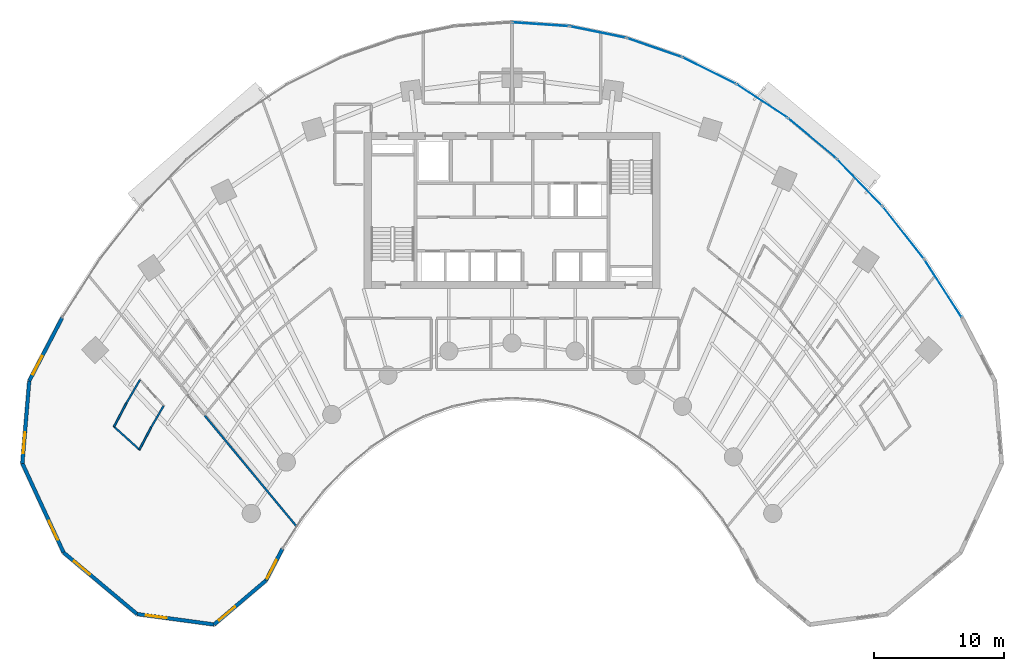
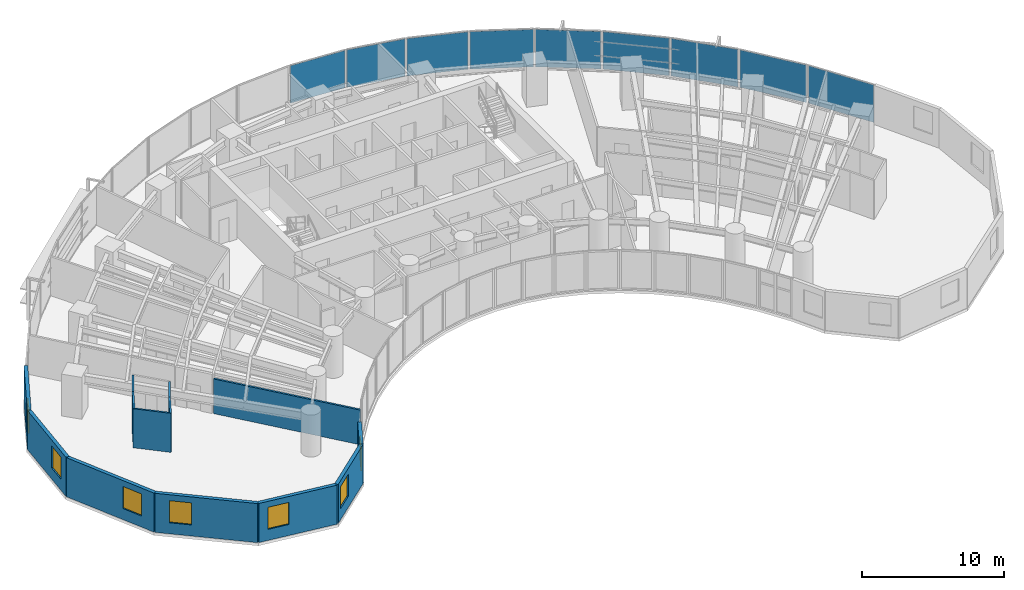
# One storey, part 10 of 17: 13 walls, 9 plates, 7 windows, 7 openings, 9 elements without a shape of their own.
"""IFC4 building model written with IfcOpenShell, lengths in metres."""

from ifc_helpers import new_model, si_unit, direction, frame, frame_2d, origin, origin_2d, place, context, subcontext, project, spatial, rectangle, extrude, source, transform, mapped, material, layer, layer_set, type_object, type_shapes, element, fill, aggregate, save


model = new_model("IFC4")

# Units and contexts
model_context = context("Model", 3, precision=1e-05, world=origin(), true_north=direction((0.0, 1.0)))
body_context = subcontext(model_context, "Body", "Model", "MODEL_VIEW")
ifc_project = project(units=[si_unit("LENGTHUNIT", "METRE"), si_unit("AREAUNIT", "SQUARE_METRE"), si_unit("VOLUMEUNIT", "CUBIC_METRE"), si_unit("PLANEANGLEUNIT", "RADIAN"), si_unit("MASSUNIT", "GRAM", prefix="KILO")], contexts=[model_context])

# Site, building, storey
site_placement = place(None, origin())
site = spatial("IfcSite", under=ifc_project, at=site_placement, CompositionType="ELEMENT")
building_placement = place(site_placement, origin())
building = spatial("IfcBuilding", under=site, at=building_placement, Name="Breltana Convention Tower", CompositionType="ELEMENT")
storey_placement = place(building_placement, frame((0.0, 0.0, 46.199951171875)))
storey = spatial("IfcBuildingStorey", under=building, at=storey_placement, Name="L09", CompositionType="ELEMENT", Elevation=46.199951171875)

# Curtain wall, plate
ifc_material_1 = material(Name="Aluminium Anodised Bronze Frame", Category="aluminium")
ifc_layer_1 = layer(ifc_material_1, 0.199951171875, Name="Aluminium Anodised Bronze Frame")
ifc_layer_set_1 = layer_set([ifc_layer_1], Name="Aluminium Anodised Bronze Frame")
curtain_wall_type = type_object("IfcCurtainWallType", Name="CW-SYS-2", PredefinedType="NOTDEFINED", material=ifc_layer_set_1)
curtain_wall_1_placement = place(storey_placement, origin())
curtain_wall_1 = element("IfcCurtainWall", 1, at=curtain_wall_1_placement, inside=storey, type_object=curtain_wall_type, Name="L09 outer double-skin inner glazing 17", PredefinedType="NOTDEFINED")
ifc_material_2 = material(Name="Glass Low-E Double Glazing", Category="glass")
ifc_layer_2 = layer(ifc_material_2, 0.031982421875, Name="Glass Low-E Double Glazing")
ifc_layer_set_2 = layer_set([ifc_layer_2], Name="Glass Low-E Double Glazing")
plate_type = type_object("IfcPlateType", Name="CWP-IGU-32", PredefinedType="CURTAIN_PANEL", material=ifc_layer_set_2)
shared_shape_1 = source(origin(), body_context, "Body", "SweptSolid", [
    extrude(rectangle(XDim=5.0546875, YDim=0.031982421875, at=origin_2d()), origin(), (0.0, 0.0, 1.0), 3.219970703125),
])
plate_1_placement = place(storey_placement, frame((78.038818359375, 64.504638671875, 0.06982421875), z_axis=(0.0, 0.0, 1.0), x_axis=(0.618153917633, -0.786057080698, 0.0)))
plate_1 = element("IfcPlate", 2, at=plate_1_placement, type_object=plate_type, Name="CW-02 panel 1.1", PredefinedType="CURTAIN_PANEL", context=body_context, shape_type="MappedRepresentation", body=[
    mapped(shared_shape_1, transform((0.0, 0.0, 0.0), scale=1.0)),
])
aggregate(curtain_wall_1, [plate_1])

curtain_wall_2_placement = place(storey_placement, origin())
curtain_wall_2 = element("IfcCurtainWall", 3, at=curtain_wall_2_placement, inside=storey, type_object=curtain_wall_type, Name="L09 outer double-skin inner glazing 16", PredefinedType="NOTDEFINED")
shared_shape_2 = source(origin(), body_context, "Body", "SweptSolid", [
    extrude(rectangle(XDim=4.901123046875, YDim=0.031982421875, at=origin_2d()), origin(), (0.0, 0.0, 1.0), 3.219970703125),
])
plate_2_placement = place(storey_placement, frame((74.682373046875, 68.359619140625, 0.06982421875), z_axis=(0.0, 0.0, 1.0), x_axis=(0.694610090106, -0.719386421003, 0.0)))
plate_2 = element("IfcPlate", 4, at=plate_2_placement, type_object=plate_type, Name="CW-02 panel 1.1", PredefinedType="CURTAIN_PANEL", context=body_context, shape_type="MappedRepresentation", body=[
    mapped(shared_shape_2, transform((0.0, 0.0, 0.0), scale=1.0)),
])
aggregate(curtain_wall_2, [plate_2])

curtain_wall_3_placement = place(storey_placement, origin())
curtain_wall_3 = element("IfcCurtainWall", 5, at=curtain_wall_3_placement, inside=storey, type_object=curtain_wall_type, Name="L09 outer double-skin inner glazing 15", PredefinedType="NOTDEFINED")
shared_shape_3 = source(origin(), body_context, "Body", "SweptSolid", [
    extrude(rectangle(XDim=4.7509765625, YDim=0.031982421875, at=origin_2d()), origin(), (0.0, 0.0, 1.0), 3.219970703125),
])
plate_3_placement = place(storey_placement, frame((71.0537109375, 71.7392578125, 0.06982421875), z_axis=(0.0, 0.0, 1.0), x_axis=(0.767941326958, -0.640520193554, 0.0)))
plate_3 = element("IfcPlate", 6, at=plate_3_placement, type_object=plate_type, Name="CW-02 panel 1.1", PredefinedType="CURTAIN_PANEL", context=body_context, shape_type="MappedRepresentation", body=[
    mapped(shared_shape_3, transform((0.0, 0.0, 0.0), scale=1.0)),
])
aggregate(curtain_wall_3, [plate_3])

curtain_wall_4_placement = place(storey_placement, origin())
curtain_wall_4 = element("IfcCurtainWall", 7, at=curtain_wall_4_placement, inside=storey, type_object=curtain_wall_type, Name="L09 outer double-skin inner glazing 14", PredefinedType="NOTDEFINED")
shared_shape_4 = source(origin(), body_context, "Body", "SweptSolid", [
    extrude(rectangle(XDim=4.610595703125, YDim=0.031982421875, at=origin_2d()), origin(), (0.0, 0.0, 1.0), 3.219970703125),
])
plate_4_placement = place(storey_placement, frame((67.18994140625, 74.609130859375, 0.06982421875), z_axis=(0.0, 0.0, 1.0), x_axis=(0.83596401875, -0.548784255746, 0.0)))
plate_4 = element("IfcPlate", 8, at=plate_4_placement, type_object=plate_type, Name="CW-02 panel 1.1", PredefinedType="CURTAIN_PANEL", context=body_context, shape_type="MappedRepresentation", body=[
    mapped(shared_shape_4, transform((0.0, 0.0, 0.0), scale=1.0)),
])
aggregate(curtain_wall_4, [plate_4])

curtain_wall_5_placement = place(storey_placement, origin())
curtain_wall_5 = element("IfcCurtainWall", 9, at=curtain_wall_5_placement, inside=storey, type_object=curtain_wall_type, Name="L09 outer double-skin inner glazing 13", PredefinedType="NOTDEFINED")
shared_shape_5 = source(origin(), body_context, "Body", "SweptSolid", [
    extrude(rectangle(XDim=4.487548828125, YDim=0.031982421875, at=origin_2d()), origin(), (0.0, 0.0, 1.0), 3.219970703125),
])
plate_5_placement = place(storey_placement, frame((63.13134765625, 76.940185546875, 0.06982421875), z_axis=(0.0, 0.0, 1.0), x_axis=(0.895973407804, -0.444107703726, 0.0)))
plate_5 = element("IfcPlate", 10, at=plate_5_placement, type_object=plate_type, Name="CW-02 panel 1.1", PredefinedType="CURTAIN_PANEL", context=body_context, shape_type="MappedRepresentation", body=[
    mapped(shared_shape_5, transform((0.0, 0.0, 0.0), scale=1.0)),
])
aggregate(curtain_wall_5, [plate_5])

curtain_wall_6_placement = place(storey_placement, origin())
curtain_wall_6 = element("IfcCurtainWall", 11, at=curtain_wall_6_placement, inside=storey, type_object=curtain_wall_type, Name="L09 outer double-skin inner glazing 12", PredefinedType="NOTDEFINED")
shared_shape_6 = source(origin(), body_context, "Body", "SweptSolid", [
    extrude(rectangle(XDim=4.388427734375, YDim=0.031982421875, at=origin_2d()), origin(), (0.0, 0.0, 1.0), 3.219970703125),
])
plate_6_placement = place(storey_placement, frame((58.9189453125, 78.709228515625, 0.06982421875), z_axis=(0.0, 0.0, 1.0), x_axis=(0.944876012163, -0.32742834581, 0.0)))
plate_6 = element("IfcPlate", 12, at=plate_6_placement, type_object=plate_type, Name="CW-02 panel 1.1", PredefinedType="CURTAIN_PANEL", context=body_context, shape_type="MappedRepresentation", body=[
    mapped(shared_shape_6, transform((0.0, 0.0, 0.0), scale=1.0)),
])
aggregate(curtain_wall_6, [plate_6])

curtain_wall_7_placement = place(storey_placement, origin())
curtain_wall_7 = element("IfcCurtainWall", 13, at=curtain_wall_7_placement, inside=storey, type_object=curtain_wall_type, Name="L09 outer double-skin inner glazing 11", PredefinedType="NOTDEFINED")
shared_shape_7 = source(origin(), body_context, "Body", "SweptSolid", [
    extrude(rectangle(XDim=4.318359375, YDim=0.031982421875, at=origin_2d()), origin(), (0.0, 0.0, 1.0), 3.219970703125),
])
plate_7_placement = place(storey_placement, frame((54.595703125, 79.898193359375, 0.06982421875), z_axis=(0.0, 0.0, 1.0), x_axis=(0.979614925743, -0.200884537139, 0.0)))
plate_7 = element("IfcPlate", 14, at=plate_7_placement, type_object=plate_type, Name="CW-02 panel 1.1", PredefinedType="CURTAIN_PANEL", context=body_context, shape_type="MappedRepresentation", body=[
    mapped(shared_shape_7, transform((0.0, 0.0, 0.0), scale=1.0)),
])
aggregate(curtain_wall_7, [plate_7])

curtain_wall_8_placement = place(storey_placement, origin())
curtain_wall_8 = element("IfcCurtainWall", 15, at=curtain_wall_8_placement, inside=storey, type_object=curtain_wall_type, Name="L09 outer double-skin inner glazing 10", PredefinedType="NOTDEFINED")
shared_shape_8 = source(origin(), body_context, "Body", "SweptSolid", [
    extrude(rectangle(XDim=4.2822265625, YDim=0.031982421875, at=origin_2d()), origin(), (0.0, 0.0, 1.0), 3.219970703125),
])
plate_8_placement = place(storey_placement, frame((50.2060546875, 80.495849609375, 0.06982421875), z_axis=(0.0, 0.0, 1.0), x_axis=(0.997703982282, -0.067725650529, 0.0)))
plate_8 = element("IfcPlate", 16, at=plate_8_placement, type_object=plate_type, Name="CW-02 panel 1.1", PredefinedType="CURTAIN_PANEL", context=body_context, shape_type="MappedRepresentation", body=[
    mapped(shared_shape_8, transform((0.0, 0.0, 0.0), scale=1.0)),
])
aggregate(curtain_wall_8, [plate_8])

curtain_wall_9_placement = place(storey_placement, origin())
curtain_wall_9 = element("IfcCurtainWall", 17, at=curtain_wall_9_placement, inside=storey, type_object=curtain_wall_type, Name="L09 outer double-skin inner glazing 18", PredefinedType="NOTDEFINED")
shared_shape_9 = source(origin(), body_context, "Body", "SweptSolid", [
    extrude(rectangle(XDim=5.20556640625, YDim=0.031982421875, at=origin_2d()), origin(), (0.0, 0.0, 1.0), 3.219970703125),
])
plate_9_placement = place(storey_placement, frame((81.088134765625, 60.2138671875, 0.06982421875), z_axis=(0.0, 0.0, 1.0), x_axis=(0.540180724109, -0.841549039154, 0.0)))
plate_9 = element("IfcPlate", 18, at=plate_9_placement, type_object=plate_type, Name="CW-02 panel 1.1", PredefinedType="CURTAIN_PANEL", context=body_context, shape_type="MappedRepresentation", body=[
    mapped(shared_shape_9, transform((0.0, 0.0, 0.0), scale=1.0)),
])
aggregate(curtain_wall_9, [plate_9])

# Wall, opening, window
ifc_material_3 = material(Name="Limestone Buff Insulated Wall", Category="masonry")
ifc_layer_3 = layer(ifc_material_3, 0.280029296875, Name="Limestone Buff Insulated Wall")
ifc_layer_set_3 = layer_set([ifc_layer_3], Name="Limestone Buff Insulated Wall")
wall_type_1 = type_object("IfcWallType", Name="WL-EXT-NOSE-280", PredefinedType="SOLIDWALL", material=ifc_layer_set_3)
shared_shape_10 = source(origin(), body_context, "Body", "SweptSolid", [
    extrude(rectangle(XDim=6.3525390625, YDim=0.280029296875, at=frame_2d((3.17626953125, 0.0))), origin(), (0.0, 0.0, 1.0), 3.360107421875),
])
wall_1_placement = place(storey_placement, frame((10.417724609375, 46.79150390625, 0.0), z_axis=(0.0, 0.0, 1.0), x_axis=(0.083319001377, 0.996522926986, 0.0)))
wall_1 = element("IfcWall", 19, at=wall_1_placement, inside=storey, type_object=wall_type_1, Name="L09 curved limestone nose wall W6", PredefinedType="SOLIDWALL", context=body_context, shape_type="MappedRepresentation", body=[
    mapped(shared_shape_10, transform((0.0, 0.0, 0.0), scale=1.0)),
])
opening_1_placement = place(wall_1_placement, frame((0.7880859375, 0.0, 0.949951171875)))
opening_1 = element("IfcOpeningElement", 20, at=opening_1_placement, cuts=wall_1, Name="Opening W-04", PredefinedType="OPENING", context=body_context, shape_type="SweptSolid", body=[
    extrude(rectangle(XDim=1.60009765625, YDim=1.89990234375, at=frame_2d((0.800048828125, 0.949951171875))), frame((0.0, 0.14990234375, 0.0), z_axis=(0.0, -1.0, 0.0), x_axis=(1.0, 0.0, 0.0)), (0.0, 0.0, 1.0), 0.300048828125),
])
ifc_material_4 = material(Name="Glass Low-E Insulated Window", Category="glass")
window_type = type_object("IfcWindowType", Name="WN-NOSE-1600X1900", PartitioningType="SINGLE_PANEL", PredefinedType="WINDOW", material=ifc_material_4)
shared_shape_11 = source(origin(), body_context, "Body", "SweptSolid", [
    extrude(rectangle(XDim=1.60009765625, YDim=1.89990234375, at=frame_2d((0.800048828125, 0.949951171875))), frame((0.0, 0.030029296875, 0.0), z_axis=(0.0, -1.0, 0.0), x_axis=(1.0, 0.0, 0.0)), (0.0, 0.0, 1.0), 0.06005859375),
])
type_shapes(window_type, [shared_shape_11])
window_1_placement = place(opening_1_placement, origin())
window_1 = element("IfcWindow", 21, at=window_1_placement, inside=storey, type_object=window_type, Name="L09 nose window W6", OverallHeight=1.89990234375, OverallWidth=1.60009765625, PartitioningType="SINGLE_PANEL", PredefinedType="WINDOW", context=body_context, shape_type="MappedRepresentation", body=[
    mapped(shared_shape_11, transform((0.0, 0.0, 0.0), scale=1.0)),
])
fill(opening_1, window_1)

shared_shape_12 = source(origin(), body_context, "Body", "SweptSolid", [
    extrude(rectangle(XDim=7.536376953125, YDim=0.280029296875, at=frame_2d((3.76806640625, 0.0))), origin(), (0.0, 0.0, 1.0), 3.360107421875),
])
wall_2_placement = place(storey_placement, frame((13.580322265625, 39.950927734375, 0.0), z_axis=(0.0, 0.0, 1.0), x_axis=(-0.41964973873, 0.907686122393, 0.0)))
wall_2 = element("IfcWall", 22, at=wall_2_placement, inside=storey, type_object=wall_type_1, Name="L09 curved limestone nose wall W5", PredefinedType="SOLIDWALL", context=body_context, shape_type="MappedRepresentation", body=[
    mapped(shared_shape_12, transform((0.0, 0.0, 0.0), scale=1.0)),
])
opening_2_placement = place(wall_2_placement, frame((1.083984375, 0.0, 0.949951171875)))
opening_2 = element("IfcOpeningElement", 23, at=opening_2_placement, cuts=wall_2, Name="Opening W-04", PredefinedType="OPENING", context=body_context, shape_type="SweptSolid", body=[
    extrude(rectangle(XDim=1.60009765625, YDim=1.89990234375, at=frame_2d((0.800048828125, 0.949951171875))), frame((0.0, 0.14990234375, 0.0), z_axis=(0.0, -1.0, 0.0), x_axis=(1.0, 0.0, 0.0)), (0.0, 0.0, 1.0), 0.300048828125),
])
window_2_placement = place(opening_2_placement, origin())
window_2 = element("IfcWindow", 24, at=window_2_placement, inside=storey, type_object=window_type, Name="L09 nose window W5", OverallHeight=1.89990234375, OverallWidth=1.60009765625, PartitioningType="SINGLE_PANEL", PredefinedType="WINDOW", context=body_context, shape_type="MappedRepresentation", body=[
    mapped(shared_shape_11, transform((0.0, 0.0, 0.0), scale=1.0)),
])
fill(opening_2, window_2)

shared_shape_13 = source(origin(), body_context, "Body", "SweptSolid", [
    extrude(rectangle(XDim=7.35888671875, YDim=0.280029296875, at=frame_2d((3.679443359375, 0.0))), origin(), (0.0, 0.0, 1.0), 3.360107421875),
])
wall_3_placement = place(storey_placement, frame((19.22265625, 35.226806640625, 0.0), z_axis=(0.0, 0.0, 1.0), x_axis=(-0.766737165543, 0.641961150675, 0.0)))
wall_3 = element("IfcWall", 25, at=wall_3_placement, inside=storey, type_object=wall_type_1, Name="L09 curved limestone nose wall W4", PredefinedType="SOLIDWALL", context=body_context, shape_type="MappedRepresentation", body=[
    mapped(shared_shape_13, transform((0.0, 0.0, 0.0), scale=1.0)),
])
opening_3_placement = place(wall_3_placement, frame((4.71923828125, 0.0, 0.949951171875)))
opening_3 = element("IfcOpeningElement", 26, at=opening_3_placement, cuts=wall_3, Name="Opening W-04", PredefinedType="OPENING", context=body_context, shape_type="SweptSolid", body=[
    extrude(rectangle(XDim=1.60009765625, YDim=1.89990234375, at=frame_2d((0.800048828125, 0.949951171875))), frame((0.0, 0.14990234375, 0.0), z_axis=(0.0, -1.0, 0.0), x_axis=(1.0, 0.0, 0.0)), (0.0, 0.0, 1.0), 0.300048828125),
])
window_3_placement = place(opening_3_placement, origin())
window_3 = element("IfcWindow", 27, at=window_3_placement, inside=storey, type_object=window_type, Name="L09 nose window W4", OverallHeight=1.89990234375, OverallWidth=1.60009765625, PartitioningType="SINGLE_PANEL", PredefinedType="WINDOW", context=body_context, shape_type="MappedRepresentation", body=[
    mapped(shared_shape_11, transform((0.0, 0.0, 0.0), scale=1.0)),
])
fill(opening_3, window_3)

shared_shape_14 = source(origin(), body_context, "Body", "SweptSolid", [
    extrude(rectangle(XDim=5.96728515625, YDim=0.280029296875, at=frame_2d((2.983642578125, 0.0))), origin(), (0.0, 0.0, 1.0), 3.360107421875),
])
wall_4_placement = place(storey_placement, frame((25.1357421875, 34.4248046875, 0.0), z_axis=(0.0, 0.0, 1.0), x_axis=(-0.990927009341, 0.134401124099, 0.0)))
wall_4 = element("IfcWall", 28, at=wall_4_placement, inside=storey, type_object=wall_type_1, Name="L09 curved limestone nose wall W3", PredefinedType="SOLIDWALL", context=body_context, shape_type="MappedRepresentation", body=[
    mapped(shared_shape_14, transform((0.0, 0.0, 0.0), scale=1.0)),
])
opening_4_placement = place(wall_4_placement, frame((3.675537109375, 0.0, 0.949951171875)))
opening_4 = element("IfcOpeningElement", 29, at=opening_4_placement, cuts=wall_4, Name="Opening W-04", PredefinedType="OPENING", context=body_context, shape_type="SweptSolid", body=[
    extrude(rectangle(XDim=1.60009765625, YDim=1.89990234375, at=frame_2d((0.800048828125, 0.949951171875))), frame((0.0, 0.14990234375, 0.0), z_axis=(0.0, -1.0, 0.0), x_axis=(1.0, 0.0, 0.0)), (0.0, 0.0, 1.0), 0.300048828125),
])
window_4_placement = place(opening_4_placement, origin())
window_4 = element("IfcWindow", 30, at=window_4_placement, inside=storey, type_object=window_type, Name="L09 nose window W3", OverallHeight=1.89990234375, OverallWidth=1.60009765625, PartitioningType="SINGLE_PANEL", PredefinedType="WINDOW", context=body_context, shape_type="MappedRepresentation", body=[
    mapped(shared_shape_11, transform((0.0, 0.0, 0.0), scale=1.0)),
])
fill(opening_4, window_4)

shared_shape_15 = source(origin(), body_context, "Body", "SweptSolid", [
    extrude(rectangle(XDim=5.222412109375, YDim=0.280029296875, at=frame_2d((2.611328125, 0.0))), origin(), (0.0, 0.0, 1.0), 3.360107421875),
])
wall_5_placement = place(storey_placement, frame((29.11474609375, 37.807373046875, 0.0), z_axis=(0.0, 0.0, 1.0), x_axis=(-0.761900099546, -0.647694556339, 0.0)))
wall_5 = element("IfcWall", 31, at=wall_5_placement, inside=storey, type_object=wall_type_1, Name="L09 curved limestone nose wall W2", PredefinedType="SOLIDWALL", context=body_context, shape_type="MappedRepresentation", body=[
    mapped(shared_shape_15, transform((0.0, 0.0, 0.0), scale=1.0)),
])
opening_5_placement = place(wall_5_placement, frame((3.11669921875, 0.0, 0.949951171875)))
opening_5 = element("IfcOpeningElement", 32, at=opening_5_placement, cuts=wall_5, Name="Opening W-04", PredefinedType="OPENING", context=body_context, shape_type="SweptSolid", body=[
    extrude(rectangle(XDim=1.60009765625, YDim=1.89990234375, at=frame_2d((0.800048828125, 0.949951171875))), frame((0.0, 0.14990234375, 0.0), z_axis=(0.0, -1.0, 0.0), x_axis=(1.0, 0.0, 0.0)), (0.0, 0.0, 1.0), 0.300048828125),
])
window_5_placement = place(opening_5_placement, origin())
window_5 = element("IfcWindow", 33, at=window_5_placement, inside=storey, type_object=window_type, Name="L09 nose window W2", OverallHeight=1.89990234375, OverallWidth=1.60009765625, PartitioningType="SINGLE_PANEL", PredefinedType="WINDOW", context=body_context, shape_type="MappedRepresentation", body=[
    mapped(shared_shape_11, transform((0.0, 0.0, 0.0), scale=1.0)),
])
fill(opening_5, window_5)

shared_shape_16 = source(origin(), body_context, "Body", "SweptSolid", [
    extrude(rectangle(XDim=2.7353515625, YDim=0.280029296875, at=frame_2d((1.36767578125, 0.0))), origin(), (0.0, 0.0, 1.0), 3.360107421875),
])
wall_6_placement = place(storey_placement, frame((30.3779296875, 40.233642578125, 0.0), z_axis=(0.0, 0.0, 1.0), x_axis=(-0.46179107292, -0.886988728774, 0.0)))
wall_6 = element("IfcWall", 34, at=wall_6_placement, inside=storey, type_object=wall_type_1, Name="L09 curved limestone nose wall W1", PredefinedType="SOLIDWALL", context=body_context, shape_type="MappedRepresentation", body=[
    mapped(shared_shape_16, transform((0.0, 0.0, 0.0), scale=1.0)),
])
opening_6_placement = place(wall_6_placement, frame((0.9755859375, 0.0, 0.949951171875)))
opening_6 = element("IfcOpeningElement", 35, at=opening_6_placement, cuts=wall_6, Name="Opening W-04", PredefinedType="OPENING", context=body_context, shape_type="SweptSolid", body=[
    extrude(rectangle(XDim=1.60009765625, YDim=1.89990234375, at=frame_2d((0.800048828125, 0.949951171875))), frame((0.0, 0.14990234375, 0.0), z_axis=(0.0, -1.0, 0.0), x_axis=(1.0, 0.0, 0.0)), (0.0, 0.0, 1.0), 0.300048828125),
])
window_6_placement = place(opening_6_placement, origin())
window_6 = element("IfcWindow", 36, at=window_6_placement, inside=storey, type_object=window_type, Name="L09 nose window W1", OverallHeight=1.89990234375, OverallWidth=1.60009765625, PartitioningType="SINGLE_PANEL", PredefinedType="WINDOW", context=body_context, shape_type="MappedRepresentation", body=[
    mapped(shared_shape_11, transform((0.0, 0.0, 0.0), scale=1.0)),
])
fill(opening_6, window_6)

shared_shape_17 = source(origin(), body_context, "Body", "SweptSolid", [
    extrude(rectangle(XDim=5.45947265625, YDim=0.280029296875, at=frame_2d((2.729736328125, 0.0))), origin(), (0.0, 0.0, 1.0), 3.360107421875),
])
wall_7_placement = place(storey_placement, frame((10.947021484375, 53.1220703125, 0.0), z_axis=(0.0, 0.0, 1.0), x_axis=(0.461768054321, 0.887000712518, 0.0)))
wall_7 = element("IfcWall", 37, at=wall_7_placement, inside=storey, type_object=wall_type_1, Name="L09 curved limestone nose wall W7", PredefinedType="SOLIDWALL", context=body_context, shape_type="MappedRepresentation", body=[
    mapped(shared_shape_17, transform((0.0, 0.0, 0.0), scale=1.0)),
])
opening_7_placement = place(wall_7_placement, frame((0.56494140625, 0.0, 0.949951171875)))
opening_7 = element("IfcOpeningElement", 38, at=opening_7_placement, cuts=wall_7, Name="Opening W-04", PredefinedType="OPENING", context=body_context, shape_type="SweptSolid", body=[
    extrude(rectangle(XDim=1.60009765625, YDim=1.89990234375, at=frame_2d((0.800048828125, 0.949951171875))), frame((0.0, 0.14990234375, 0.0), z_axis=(0.0, -1.0, 0.0), x_axis=(1.0, 0.0, 0.0)), (0.0, 0.0, 1.0), 0.300048828125),
])
window_7_placement = place(opening_7_placement, origin())
window_7 = element("IfcWindow", 39, at=window_7_placement, inside=storey, type_object=window_type, Name="L09 nose window W7", OverallHeight=1.89990234375, OverallWidth=1.60009765625, PartitioningType="SINGLE_PANEL", PredefinedType="WINDOW", context=body_context, shape_type="MappedRepresentation", body=[
    mapped(shared_shape_11, transform((0.0, 0.0, 0.0), scale=1.0)),
])
fill(opening_7, window_7)

# Walls
ifc_material_5 = material(Name="Moisture-Resistant En-Suite Partition")
ifc_layer_4 = layer(ifc_material_5, 0.139892578125, Name="Moisture-Resistant En-Suite Partition")
ifc_layer_set_4 = layer_set([ifc_layer_4], Name="Moisture-Resistant En-Suite Partition")
wall_type_2 = type_object("IfcWallType", Name="WL-WET-150", PredefinedType="PARTITIONING", material=ifc_layer_set_4)
shared_shape_18 = source(origin(), body_context, "Body", "SweptSolid", [
    extrude(rectangle(XDim=2.738037109375, YDim=0.139892578125, at=frame_2d((1.369140625, 0.0))), origin(), (0.0, 0.0, 1.0), 3.360107421875),
])
wall_8_placement = place(storey_placement, frame((19.439697265625, 47.81396484375, 0.0), z_axis=(0.0, 0.0, 1.0), x_axis=(-0.741873676582, 0.670539669218, 0.0)))
element("IfcWall", 40, at=wall_8_placement, inside=storey, type_object=wall_type_2, Name="L09 interior partition W-L09-CSENS-W-F", PredefinedType="PARTITIONING", context=body_context, shape_type="MappedRepresentation", body=[
    mapped(shared_shape_18, transform((0.0, 0.0, 0.0), scale=1.0)),
])
shared_shape_19 = source(origin(), body_context, "Body", "SweptSolid", [
    extrude(rectangle(XDim=1.936279296875, YDim=0.139892578125, at=frame_2d((0.96826171875, 0.0))), origin(), (0.0, 0.0, 1.0), 3.360107421875),
])
wall_9_placement = place(storey_placement, frame((19.398193359375, 47.8515625, 0.0), z_axis=(0.0, 0.0, 1.0), x_axis=(0.467174971862, 0.884164886017, 0.0)))
element("IfcWall", 41, at=wall_9_placement, inside=storey, type_object=wall_type_2, Name="L09 interior partition W-L09-CSENS-W-B1A", PredefinedType="PARTITIONING", context=body_context, shape_type="MappedRepresentation", body=[
    mapped(shared_shape_19, transform((0.0, 0.0, 0.0), scale=1.0)),
])
shared_shape_20 = source(origin(), body_context, "Body", "SweptSolid", [
    extrude(rectangle(XDim=2.068115234375, YDim=0.139892578125, at=frame_2d((1.0341796875, 0.0))), origin(), (0.0, 0.0, 1.0), 3.360107421875),
])
wall_10_placement = place(storey_placement, frame((17.449951171875, 49.6123046875, 0.0), z_axis=(0.0, 0.0, 1.0), x_axis=(0.467215057643, 0.884143704333, 0.0)))
element("IfcWall", 42, at=wall_10_placement, inside=storey, type_object=wall_type_2, Name="L09 interior partition W-L09-CSENS-W-B2A", PredefinedType="PARTITIONING", context=body_context, shape_type="MappedRepresentation", body=[
    mapped(shared_shape_20, transform((0.0, 0.0, 0.0), scale=1.0)),
])
shared_shape_21 = source(origin(), body_context, "Body", "SweptSolid", [
    extrude(rectangle(XDim=1.914306640625, YDim=0.139892578125, at=frame_2d((0.95703125, 0.0))), origin(), (0.0, 0.0, 1.0), 3.360107421875),
])
wall_11_placement = place(storey_placement, frame((20.302734375, 49.5634765625, 0.0), z_axis=(0.0, 0.0, 1.0), x_axis=(0.502347790612, 0.864665656347, 0.0)))
element("IfcWall", 43, at=wall_11_placement, inside=storey, type_object=wall_type_2, Name="L09 interior partition W-L09-CSENS-W-B1B", PredefinedType="PARTITIONING", context=body_context, shape_type="MappedRepresentation", body=[
    mapped(shared_shape_21, transform((0.0, 0.0, 0.0), scale=1.0)),
])
shared_shape_22 = source(origin(), body_context, "Body", "SweptSolid", [
    extrude(rectangle(XDim=2.044677734375, YDim=0.139892578125, at=frame_2d((1.0224609375, 0.0))), origin(), (0.0, 0.0, 1.0), 3.360107421875),
])
wall_12_placement = place(storey_placement, frame((18.416259765625, 51.44091796875, 0.0), z_axis=(0.0, 0.0, 1.0), x_axis=(0.5023112139, 0.864686905411, 0.0)))
element("IfcWall", 44, at=wall_12_placement, inside=storey, type_object=wall_type_2, Name="L09 interior partition W-L09-CSENS-W-B2B", PredefinedType="PARTITIONING", context=body_context, shape_type="MappedRepresentation", body=[
    mapped(shared_shape_22, transform((0.0, 0.0, 0.0), scale=1.0)),
])
ifc_material_6 = material(Name="Gypsum Acoustic Drywall Partition")
ifc_layer_5 = layer(ifc_material_6, 0.14990234375, Name="Gypsum Acoustic Drywall Partition")
ifc_layer_set_5 = layer_set([ifc_layer_5], Name="Gypsum Acoustic Drywall Partition")
wall_type_3 = type_object("IfcWallType", Name="WL-PART-150", PredefinedType="PARTITIONING", material=ifc_layer_set_5)
shared_shape_23 = source(origin(), body_context, "Body", "SweptSolid", [
    extrude(rectangle(XDim=11.05322265625, YDim=0.14990234375, at=frame_2d((5.526611328125, 0.0))), origin(), (0.0, 0.0, 1.0), 2.984130859375),
])
wall_13_placement = place(storey_placement, frame((31.466064453125, 41.948974609375, 0.0), z_axis=(0.0, 0.0, 1.0), x_axis=(-0.638131235571, 0.769927611005, 0.0)))
element("IfcWall", 45, at=wall_13_placement, inside=storey, type_object=wall_type_3, Name="L09 interior partition W-L09-HCF1-RA", PredefinedType="PARTITIONING", context=body_context, shape_type="MappedRepresentation", body=[
    mapped(shared_shape_23, transform((0.0, 0.0, 0.0), scale=1.0)),
])

save(model, "model.ifc")
